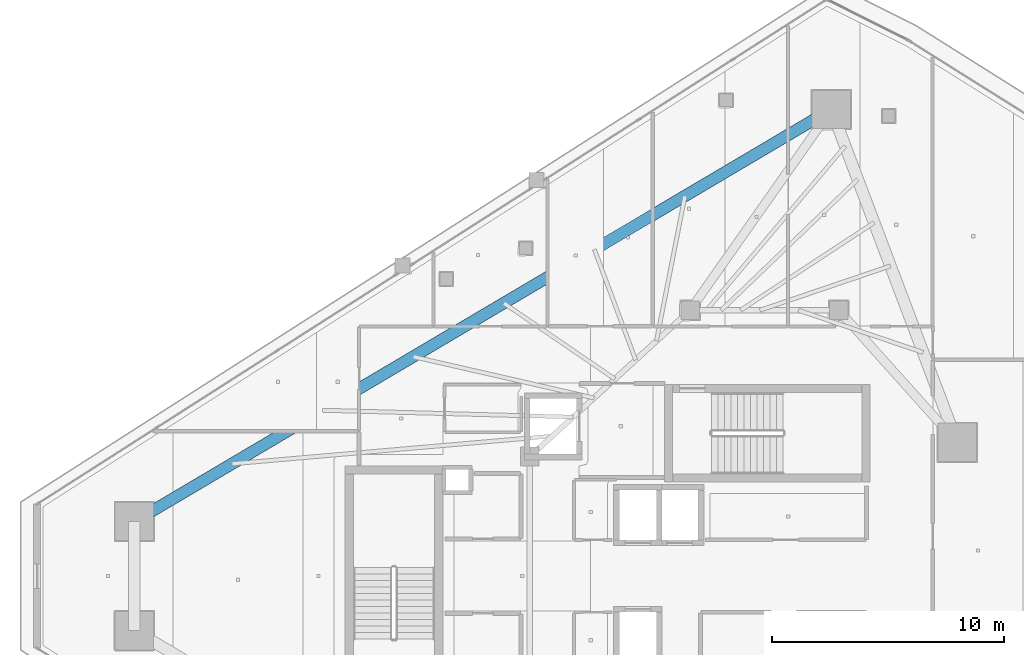
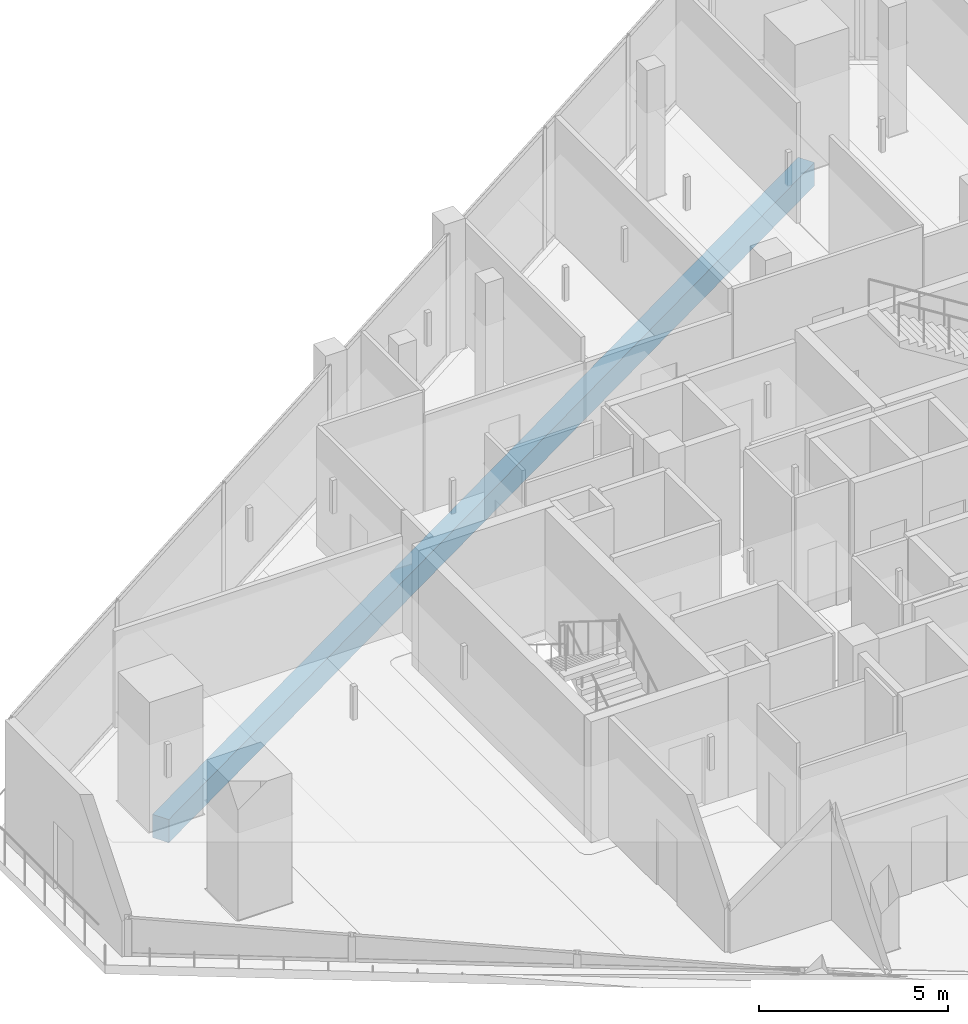
# One storey, part 16 of 33: 1 beam.
"""IFC4 building model written with IfcOpenShell, lengths in metres."""

from ifc_helpers import new_model, si_unit, direction, frame, origin, origin_2d, place, context, subcontext, project, spatial, rectangle, extrude, material, material_profile, profile_set, type_object, element, save


model = new_model("IFC4")

# Units and contexts
model_context = context("Model", 3, precision=1e-05, world=origin(), true_north=direction((0.0, 1.0)))
body_context = subcontext(model_context, "Body", "Model", "MODEL_VIEW")
ifc_project = project(units=[si_unit("LENGTHUNIT", "METRE"), si_unit("AREAUNIT", "SQUARE_METRE"), si_unit("VOLUMEUNIT", "CUBIC_METRE"), si_unit("PLANEANGLEUNIT", "RADIAN"), si_unit("MASSUNIT", "GRAM", prefix="KILO")], contexts=[model_context])

# Site, building, storey
site_placement = place(None, origin())
site = spatial("IfcSite", under=ifc_project, at=site_placement, CompositionType="ELEMENT")
building_placement = place(site_placement, origin())
building = spatial("IfcBuilding", under=site, at=building_placement, Name="Qorvath Tower", CompositionType="ELEMENT")
storey_placement = place(building_placement, frame((0.0, 0.0, 280.800048828125)))
storey = spatial("IfcBuildingStorey", under=building, at=storey_placement, Name="L65", CompositionType="ELEMENT", Elevation=280.800048828125)

# Beam
ifc_material = material(Name="Concrete C45/55", Category="concrete")
ifc_material_profile = material_profile(ifc_material, rectangle(XDim=0.5, YDim=0.75, at=origin_2d()), Name="RCB 750x500")
ifc_profile_set = profile_set([ifc_material_profile], Name="Concrete C45/55")
beam_type = type_object("IfcBeamType", Name="BM-RCB3", PredefinedType="SPANDREL", material=ifc_profile_set)
beam_placement = place(storey_placement, frame((-17.515380859375, 20.1015625, -0.6650390625), z_axis=(-0.860781425392, -0.50897479083, 0.0), x_axis=(0.50897479083, -0.860781425392, 0.0)))
element("IfcBeam", 1, at=beam_placement, inside=storey, type_object=beam_type, Name="Perimeter Loggia Frame Beam MC6-MC1 L65", PredefinedType="SPANDREL", context=body_context, shape_type="SweptSolid", body=[
    extrude(rectangle(XDim=0.5, YDim=0.75, at=origin_2d()), origin(), (0.0, 0.0, 1.0), 34.8779296875),
])

save(model, "model.ifc")
